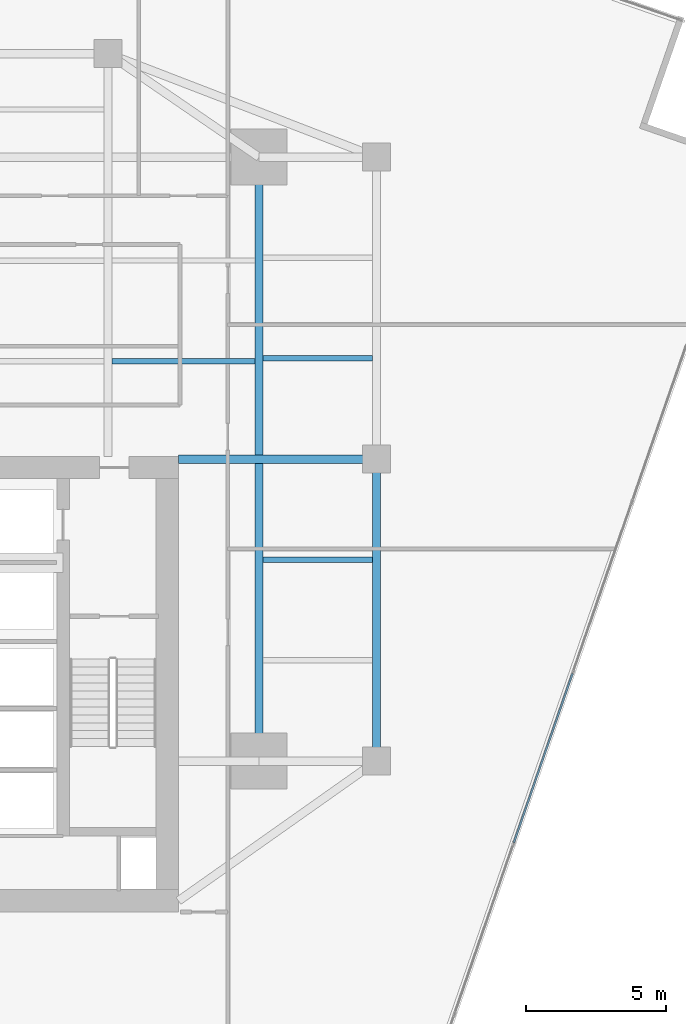
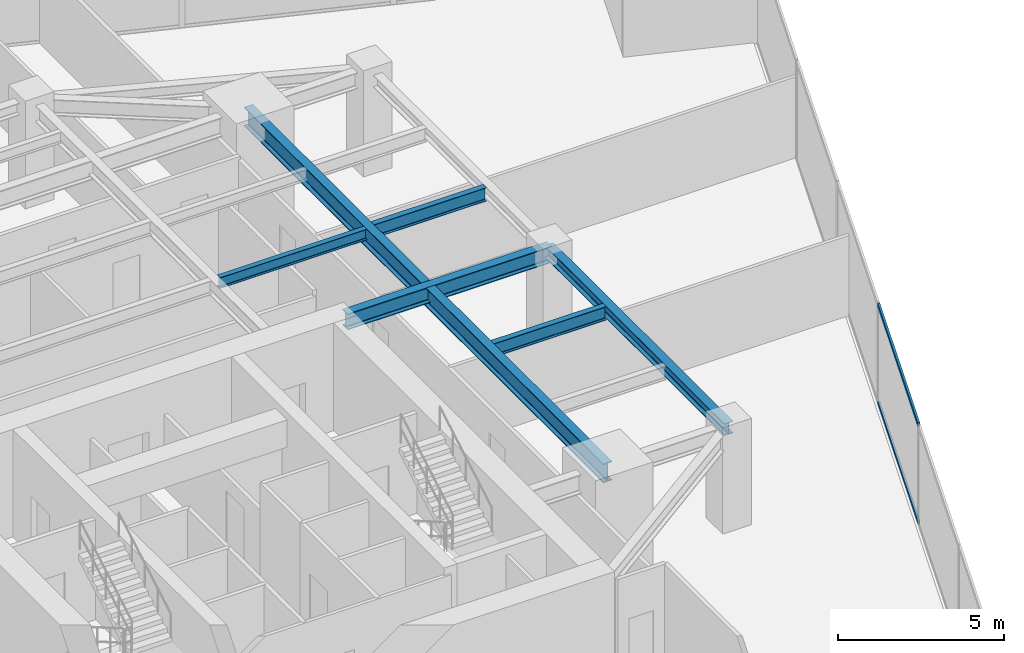
# One storey, part 12 of 28: 6 beams, 2 members, 1 element without a shape of its own.
"""IFC4 building model written with IfcOpenShell, lengths in metres."""

from ifc_helpers import new_model, si_unit, direction, frame, origin, origin_2d, place, context, subcontext, project, spatial, hollow_rectangle, i_section, extrude, source, transform, mapped, material, material_profile, profile_set, type_object, type_shapes, element, aggregate, save


model = new_model("IFC4")

# Units and contexts
model_context = context("Model", 3, precision=1e-05, world=origin(), true_north=direction((0.0, 1.0)))
body_context = subcontext(model_context, "Body", "Model", "MODEL_VIEW")
ifc_project = project(units=[si_unit("LENGTHUNIT", "METRE"), si_unit("AREAUNIT", "SQUARE_METRE"), si_unit("VOLUMEUNIT", "CUBIC_METRE"), si_unit("PLANEANGLEUNIT", "RADIAN"), si_unit("MASSUNIT", "GRAM", prefix="KILO")], contexts=[model_context])

# Site, building, storey
site_placement = place(None, origin())
site = spatial("IfcSite", under=ifc_project, at=site_placement, CompositionType="ELEMENT")
building_placement = place(site_placement, origin())
building = spatial("IfcBuilding", under=site, at=building_placement, Name="Krantzveldt Concourse Tower", CompositionType="ELEMENT")
storey_placement = place(building_placement, frame((0.0, 0.0, 117.699951171875)))
storey = spatial("IfcBuildingStorey", under=building, at=storey_placement, Name="L28", CompositionType="ELEMENT", Elevation=117.699951171875)

# Beams
ifc_material_1 = material(Name="Steel S355J2", Category="steel")
ifc_material_profile_1 = material_profile(ifc_material_1, i_section(OverallWidth=0.300048828125, OverallDepth=0.699951171875, WebThickness=0.01708984375, FlangeThickness=0.031982421875, FilletRadius=0.027099609375, at=origin_2d()), Name="Steel S355J2", Category="steel")
ifc_profile_set_1 = profile_set([ifc_material_profile_1], Name="Steel S355J2 - HEB 700")
beam_type_1 = type_object("IfcBeamType", Name="BM-B-HEB700", PredefinedType="BEAM", material=ifc_profile_set_1)
shared_shape_1 = source(origin(), body_context, "Body", "SweptSolid", [
    extrude(i_section(OverallWidth=0.300048828125, OverallDepth=0.699951171875, WebThickness=0.01708984375, FlangeThickness=0.031982421875, FilletRadius=0.027099609375, at=origin_2d()), origin(), (0.0, 0.0, 1.0), 21.60009765625),
])
type_shapes(beam_type_1, [shared_shape_1])
beam_1_placement = place(storey_placement, frame((46.800048828125, 15.89990234375, 3.320068359375), z_axis=(0.0, 1.0, 0.0), x_axis=(-1.0, 0.0, 0.0)))
element("IfcBeam", 1, at=beam_1_placement, inside=storey, type_object=beam_type_1, Name="L28 Tower Girder BG-ME", PredefinedType="BEAM", context=body_context, shape_type="MappedRepresentation", body=[
    mapped(shared_shape_1, transform((0.0, 0.0, 0.0), x_axis=(1.0, 0.0, 0.0), y_axis=(0.0, 1.0, 0.0), z_axis=(0.0, 0.0, 1.0), scale=1.0)),
])
ifc_material_2 = material(Name="Steel S355JR", Category="steel")
ifc_material_profile_2 = material_profile(ifc_material_2, i_section(OverallWidth=0.300048828125, OverallDepth=0.590087890625, WebThickness=0.012939453125, FlangeThickness=0.02490234375, FilletRadius=0.027099609375, at=origin_2d()), Name="Steel S355JR", Category="steel")
ifc_profile_set_2 = profile_set([ifc_material_profile_2], Name="Steel S355JR - HEA 600")
beam_type_2 = type_object("IfcBeamType", Name="BM-B-HEA600", PredefinedType="BEAM", material=ifc_profile_set_2)
shared_shape_2 = source(origin(), body_context, "Body", "SweptSolid", [
    extrude(i_section(OverallWidth=0.300048828125, OverallDepth=0.590087890625, WebThickness=0.012939453125, FlangeThickness=0.02490234375, FilletRadius=0.027099609375, at=origin_2d()), origin(), (0.0, 0.0, 1.0), 7.080078125),
])
type_shapes(beam_type_2, [shared_shape_2])
beam_2_placement = place(storey_placement, frame((43.919921875, 26.699951171875, 3.375), z_axis=(1.0, 0.0, 0.0), x_axis=(0.0, 1.0, 0.0)))
element("IfcBeam", 2, at=beam_2_placement, inside=storey, type_object=beam_type_2, Name="L28 Tower Girder BG-CE2", PredefinedType="BEAM", context=body_context, shape_type="MappedRepresentation", body=[
    mapped(shared_shape_2, transform((0.0, 0.0, 0.0), x_axis=(1.0, 0.0, 0.0), y_axis=(0.0, 1.0, 0.0), z_axis=(0.0, 0.0, 1.0), scale=1.0)),
])
ifc_material_profile_3 = material_profile(ifc_material_2, i_section(OverallWidth=0.300048828125, OverallDepth=0.43994140625, WebThickness=0.011474609375, FlangeThickness=0.02099609375, FilletRadius=0.027099609375, at=origin_2d()), Name="Steel S355JR", Category="steel")
ifc_profile_set_3 = profile_set([ifc_material_profile_3], Name="Steel S355JR - HEA 450")
beam_type_3 = type_object("IfcBeamType", Name="BM-SP-HEA450", PredefinedType="SPANDREL", material=ifc_profile_set_3)
shared_shape_3 = source(origin(), body_context, "Body", "SweptSolid", [
    extrude(i_section(OverallWidth=0.300048828125, OverallDepth=0.43994140625, WebThickness=0.011474609375, FlangeThickness=0.02099609375, FilletRadius=0.027099609375, at=origin_2d()), origin(), (0.0, 0.0, 1.0), 10.800048828125),
])
type_shapes(beam_type_3, [shared_shape_3])
beam_3_placement = place(storey_placement, frame((51.0, 26.699951171875, 3.449951171875), z_axis=(0.0, -1.0, 0.0), x_axis=(1.0, 0.0, 0.0)))
element("IfcBeam", 3, at=beam_3_placement, inside=storey, type_object=beam_type_3, Name="L28 Tower Girder SP-R07", PredefinedType="SPANDREL", context=body_context, shape_type="MappedRepresentation", body=[
    mapped(shared_shape_3, transform((0.0, 0.0, 0.0), x_axis=(1.0, 0.0, 0.0), y_axis=(0.0, 1.0, 0.0), z_axis=(0.0, 0.0, 1.0), scale=1.0)),
])
ifc_material_profile_4 = material_profile(ifc_material_2, i_section(OverallWidth=0.179931640625, OverallDepth=0.39990234375, WebThickness=0.008544921875, FlangeThickness=0.013427734375, FilletRadius=0.02099609375, at=origin_2d()), Name="Steel S355JR", Category="steel")
ifc_profile_set_4 = profile_set([ifc_material_profile_4], Name="Steel S355JR - IPE 400")
beam_type_4 = type_object("IfcBeamType", Name="BM-J-IPE400", PredefinedType="JOIST", material=ifc_profile_set_4)
shared_shape_4 = source(origin(), body_context, "Body", "SweptSolid", [
    extrude(i_section(OverallWidth=0.179931640625, OverallDepth=0.39990234375, WebThickness=0.008544921875, FlangeThickness=0.013427734375, FilletRadius=0.02099609375, at=origin_2d()), origin(), (0.0, 0.0, 1.0), 5.099853515625),
])
type_shapes(beam_type_4, [shared_shape_4])
beam_4_placement = place(storey_placement, frame((41.550048828125, 30.199951171875, 3.469970703125), z_axis=(1.0, 0.0, 0.0), x_axis=(0.0, 1.0, 0.0)))
element("IfcBeam", 4, at=beam_4_placement, inside=storey, type_object=beam_type_4, Name="L28 Secondary Floor Joist JN-E1", PredefinedType="JOIST", context=body_context, shape_type="MappedRepresentation", body=[
    mapped(shared_shape_4, transform((0.0, 0.0, 0.0), x_axis=(1.0, 0.0, 0.0), y_axis=(0.0, 1.0, 0.0), z_axis=(0.0, 0.0, 1.0), scale=1.0)),
])
ifc_material_profile_5 = material_profile(ifc_material_2, i_section(OverallWidth=0.199951171875, OverallDepth=0.5, WebThickness=0.01025390625, FlangeThickness=0.01611328125, FilletRadius=0.02099609375, at=origin_2d()), Name="Steel S355JR", Category="steel")
ifc_profile_set_5 = profile_set([ifc_material_profile_5], Name="Steel S355JR - IPE 500")
beam_type_5 = type_object("IfcBeamType", Name="BM-J-IPE500", PredefinedType="JOIST", material=ifc_profile_set_5)
shared_shape_5 = source(origin(), body_context, "Body", "SweptSolid", [
    extrude(i_section(OverallWidth=0.199951171875, OverallDepth=0.5, WebThickness=0.01025390625, FlangeThickness=0.01611328125, FilletRadius=0.02099609375, at=origin_2d()), origin(), (0.0, 0.0, 1.0), 3.900146484375),
])
type_shapes(beam_type_5, [shared_shape_5])
for number, where, z_axis, x_axis, name in (
    (5, (46.949951171875, 23.10009765625, 3.420166015625), (1.0, 0.0, 0.0), (0.0, 1.0, 0.0), "L28 Secondary Floor Joist JE-2"),
    (6, (46.949951171875, 30.300048828125, 3.420166015625), (1.0, 0.0, 0.0), (0.0, 1.0, 0.0), "L28 Secondary Floor Joist JE-3"),
):
    element("IfcBeam", number, at=place(storey_placement, frame(where, z_axis=z_axis, x_axis=x_axis)), inside=storey, type_object=beam_type_5, Name=name, PredefinedType="JOIST", context=body_context, shape_type="MappedRepresentation", body=[
        mapped(shared_shape_5, transform((0.0, 0.0, 0.0), x_axis=(1.0, 0.0, 0.0), y_axis=(0.0, 1.0, 0.0), z_axis=(0.0, 0.0, 1.0), scale=1.0)),
    ])

# Curtain wall, members
ifc_material_3 = material(Name="Anodised aluminium 6063-T6", Category="aluminium")
curtain_wall_type = type_object("IfcCurtainWallType", Name="CW2", PredefinedType="USERDEFINED", material=ifc_material_3)
curtain_wall_placement = place(storey_placement, origin())
curtain_wall = element("IfcCurtainWall", 7, at=curtain_wall_placement, inside=storey, type_object=curtain_wall_type, Name="CW-L28-F07", ObjectType="UNITISED CURTAIN WALL", PredefinedType="USERDEFINED")
ifc_material_profile_6 = material_profile(ifc_material_3, hollow_rectangle(XDim=0.070068359375, YDim=0.139892578125, WallThickness=0.0048828125, at=origin_2d()), Name="Anodised aluminium 6063-T6", Category="aluminium")
ifc_profile_set_6 = profile_set([ifc_material_profile_6], Name="Anodised aluminium 6063-T6 - ALU-TRAN 140x70x5")
member_type = type_object("IfcMemberType", Name="CW-TRN-150", PredefinedType="USERDEFINED", material=ifc_profile_set_6)
shared_shape_6 = source(origin(), body_context, "Body", "SweptSolid", [
    extrude(hollow_rectangle(XDim=0.070068359375, YDim=0.139892578125, WallThickness=0.0048828125, at=origin_2d()), origin(), (0.0, 0.0, 1.0), 6.396484375),
])
type_shapes(member_type, [shared_shape_6])
member_1_placement = place(storey_placement, frame((55.916259765625, 12.986328125, 0.03515625), z_axis=(0.327632258054, 0.944805325706, 0.0), x_axis=(-0.944805325706, 0.327632258054, 0.0)))
member_1 = element("IfcMember", 8, at=member_1_placement, type_object=member_type, Name="CW-Z12 transom 3.1", ObjectType="TRANSOM", PredefinedType="USERDEFINED", context=body_context, shape_type="MappedRepresentation", body=[
    mapped(shared_shape_6, transform((0.0, 0.0, 0.0), x_axis=(1.0, 0.0, 0.0), y_axis=(0.0, 1.0, 0.0), z_axis=(0.0, 0.0, 1.0), scale=1.0)),
])
member_2_placement = place(storey_placement, frame((55.916259765625, 12.986328125, 3.635009765625), z_axis=(0.327632258054, 0.944805325706, 0.0), x_axis=(-0.944805325706, 0.327632258054, 0.0)))
member_2 = element("IfcMember", 9, at=member_2_placement, type_object=member_type, Name="CW-Z12 transom 3.2", ObjectType="TRANSOM", PredefinedType="USERDEFINED", context=body_context, shape_type="MappedRepresentation", body=[
    mapped(shared_shape_6, transform((0.0, 0.0, 0.0), x_axis=(1.0, 0.0, 0.0), y_axis=(0.0, 1.0, 0.0), z_axis=(0.0, 0.0, 1.0), scale=1.0)),
])
aggregate(curtain_wall, [member_1, member_2])

save(model, "model.ifc")
